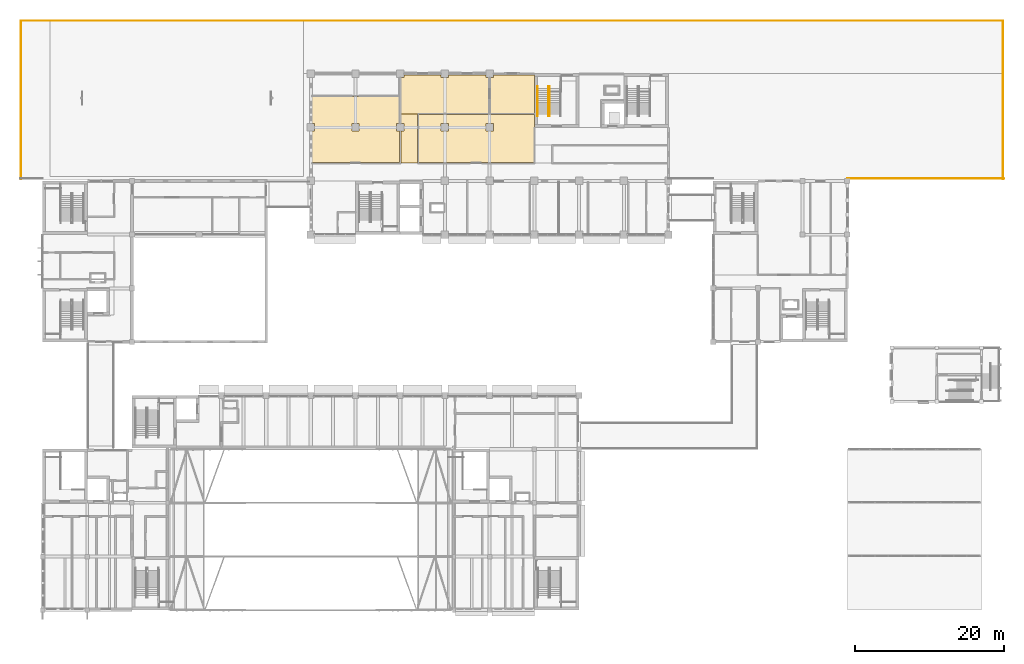
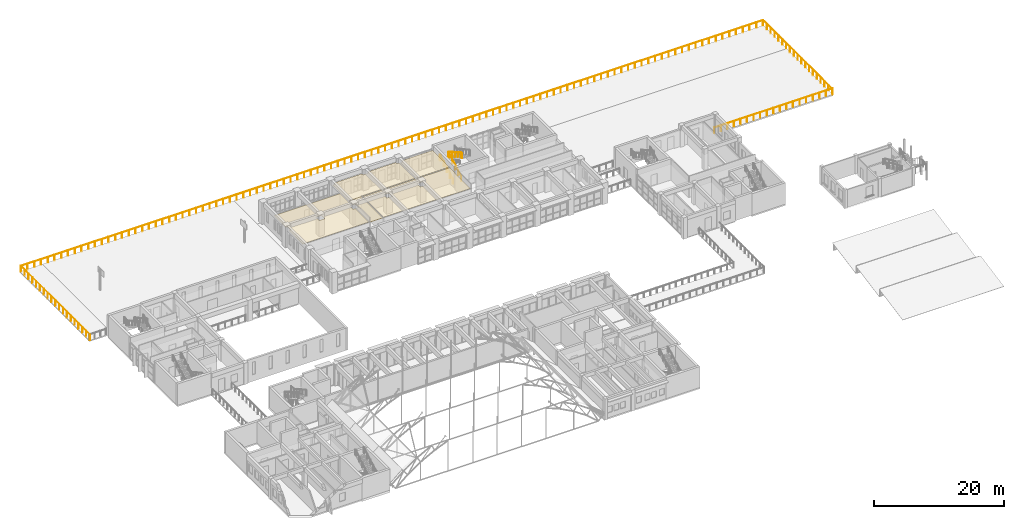
# One storey, part 99 of 101: 5 coverings, 5 railings.
"""IFC4 building model written with IfcOpenShell, lengths in metres."""

from ifc_helpers import new_model, si_unit, direction, frame, origin, origin_2d, place, context, subcontext, project, spatial, polyline, circle, outline, extrude, material, layer, layer_set, type_object, element, save


model = new_model("IFC4")

# Units and contexts
model_context = context("Model", 3, precision=1e-05, world=origin(), true_north=direction((0.0, 1.0)))
body_context = subcontext(model_context, "Body", "Model", "MODEL_VIEW")
ifc_project = project(units=[si_unit("LENGTHUNIT", "METRE"), si_unit("AREAUNIT", "SQUARE_METRE"), si_unit("VOLUMEUNIT", "CUBIC_METRE"), si_unit("PLANEANGLEUNIT", "RADIAN"), si_unit("MASSUNIT", "GRAM", prefix="KILO")], contexts=[model_context])

# Site, building, storey
site_placement = place(None, origin())
site = spatial("IfcSite", under=ifc_project, at=site_placement, CompositionType="ELEMENT")
building_placement = place(site_placement, origin())
building = spatial("IfcBuilding", under=site, at=building_placement, Name="Laocheng Heights Fire and Rescue Headquarters", CompositionType="ELEMENT")
storey_placement = place(building_placement, frame((0.0, 0.0, 8.39990234375)))
storey = spatial("IfcBuildingStorey", under=building, at=storey_placement, Name="L02", CompositionType="ELEMENT", Elevation=8.39990234375)

# Railings
ifc_material_1 = material(Name="Steel Q355B", Category="steel")
railing_type_1 = type_object("IfcRailingType", Name="STAIR HANDRAIL 920", PredefinedType="HANDRAIL", material=ifc_material_1)
for number, where, name in (
    (1, (66.445068359375, 66.300048828125, 0.0), "Stair H3 handrail L02 1"),
    (2, (67.905029296875, 66.300048828125, 0.0), "Stair H3 handrail L02 2"),
):
    element("IfcRailing", number, at=place(storey_placement, frame(where)), inside=storey, type_object=railing_type_1, Name=name, PredefinedType="HANDRAIL", context=body_context, shape_type="SweptSolid", body=[
        extrude(circle(Radius=0.02392578125, at=origin_2d()), frame((0.0, 0.0, 0.89599609375), z_axis=(0.0, 0.868519587458, 0.495654845838), x_axis=(-1.0, 0.0, 0.0)), (0.0, 0.0, 1.0), 4.237060546875),
        extrude(circle(Radius=0.02392578125, at=origin_2d()), frame((0.0, 3.679931640625, 2.99609375), z_axis=(0.0, 1.0, 0.0), x_axis=(-1.0, 0.0, 0.0)), (0.0, 0.0, 1.0), 0.300048828125),
        extrude(circle(Radius=0.02099609375, at=origin_2d()), origin(), (0.0, 0.0, 1.0), 0.871826171875),
        extrude(circle(Radius=0.02099609375, at=origin_2d()), frame((0.0, 0.919921875, 0.52490234375)), (0.0, 0.0, 1.0), 0.871826171875),
        extrude(circle(Radius=0.02099609375, at=origin_2d()), frame((0.0, 1.83984375, 1.050048828125)), (0.0, 0.0, 1.0), 0.871826171875),
        extrude(circle(Radius=0.02099609375, at=origin_2d()), frame((0.0, 2.760009765625, 1.5751953125)), (0.0, 0.0, 1.0), 0.871826171875),
        extrude(circle(Radius=0.02099609375, at=origin_2d()), frame((0.0, 3.679931640625, 2.10009765625)), (0.0, 0.0, 1.0), 0.871826171875),
        extrude(circle(Radius=0.02099609375, at=origin_2d()), frame((0.0, 3.97998046875, 2.10009765625)), (0.0, 0.0, 1.0), 0.871826171875),
    ])
railing_1_placement = place(storey_placement, frame((68.044921875, 70.280029296875, 2.10009765625)))
element("IfcRailing", 3, at=railing_1_placement, inside=storey, type_object=railing_type_1, Name="Stair H3 handrail L02 3", PredefinedType="HANDRAIL", context=body_context, shape_type="SweptSolid", body=[
    extrude(circle(Radius=0.02392578125, at=origin_2d()), frame((0.0, 0.0, 0.89599609375), z_axis=(0.0, -0.868519587458, 0.495654845838), x_axis=(1.0, 0.0, 0.0)), (0.0, 0.0, 1.0), 4.237060546875),
    extrude(circle(Radius=0.02392578125, at=origin_2d()), frame((0.0, -3.679931640625, 2.99609375), z_axis=(0.0, -1.0, 0.0), x_axis=(1.0, 0.0, 0.0)), (0.0, 0.0, 1.0), 0.300048828125),
    extrude(circle(Radius=0.02099609375, at=origin_2d()), origin(), (0.0, 0.0, 1.0), 0.871826171875),
    extrude(circle(Radius=0.02099609375, at=origin_2d()), frame((0.0, -0.919921875, 0.52490234375)), (0.0, 0.0, 1.0), 0.871826171875),
    extrude(circle(Radius=0.02099609375, at=origin_2d()), frame((0.0, -1.83984375, 1.050048828125)), (0.0, 0.0, 1.0), 0.871826171875),
    extrude(circle(Radius=0.02099609375, at=origin_2d()), frame((0.0, -2.760009765625, 1.5751953125)), (0.0, 0.0, 1.0), 0.871826171875),
    extrude(circle(Radius=0.02099609375, at=origin_2d()), frame((0.0, -3.679931640625, 2.10009765625)), (0.0, 0.0, 1.0), 0.871826171875),
    extrude(circle(Radius=0.02099609375, at=origin_2d()), frame((0.0, -3.97998046875, 2.10009765625)), (0.0, 0.0, 1.0), 0.871826171875),
])
ifc_material_2 = material(Name="Steel Q355B", Category="steel")
railing_type_2 = type_object("IfcRailingType", Name="STEEL GUARDRAIL 1100 SITE BOUNDARY", PredefinedType="GUARDRAIL", material=ifc_material_2)
railing_2_placement = place(storey_placement, frame((-2.89990234375, 57.824951171875, 0.0)))
element("IfcRailing", 4, at=railing_2_placement, inside=storey, type_object=railing_type_2, Name="Site boundary guard L02", PredefinedType="GUARDRAIL", context=body_context, shape_type="SweptSolid", body=[
    extrude(circle(Radius=0.02490234375, at=origin_2d()), frame((0.0, 0.0, 1.0751953125), z_axis=(0.0, 1.0, 0.0), x_axis=(-1.0, 0.0, 0.0)), (0.0, 0.0, 1.0), 21.275146484375),
    extrude(circle(Radius=0.02490234375, at=origin_2d()), frame((0.0, 21.275146484375, 1.0751953125), z_axis=(1.0, 0.0, 0.0), x_axis=(0.0, 1.0, 0.0)), (0.0, 0.0, 1.0), 131.7998046875),
    extrude(circle(Radius=0.02490234375, at=origin_2d()), frame((131.7998046875, 21.275146484375, 1.0751953125), z_axis=(0.0, -1.0, 0.0), x_axis=(1.0, 0.0, 0.0)), (0.0, 0.0, 1.0), 21.275146484375),
    extrude(circle(Radius=0.02490234375, at=origin_2d()), origin(), (0.0, 0.0, 1.0), 1.050048828125),
    extrude(circle(Radius=0.02490234375, at=origin_2d()), frame((0.0, 1.181884765625, 0.0)), (0.0, 0.0, 1.0), 1.050048828125),
    extrude(circle(Radius=0.02490234375, at=origin_2d()), frame((0.0, 2.364013671875, 0.0)), (0.0, 0.0, 1.0), 1.050048828125),
    extrude(circle(Radius=0.02490234375, at=origin_2d()), frame((0.0, 3.5458984375, 0.0)), (0.0, 0.0, 1.0), 1.050048828125),
    extrude(circle(Radius=0.02490234375, at=origin_2d()), frame((0.0, 4.727783203125, 0.0)), (0.0, 0.0, 1.0), 1.050048828125),
    extrude(circle(Radius=0.02490234375, at=origin_2d()), frame((0.0, 5.90966796875, 0.0)), (0.0, 0.0, 1.0), 1.050048828125),
    extrude(circle(Radius=0.02490234375, at=origin_2d()), frame((0.0, 7.091796875, 0.0)), (0.0, 0.0, 1.0), 1.050048828125),
    extrude(circle(Radius=0.02490234375, at=origin_2d()), frame((0.0, 8.273681640625, 0.0)), (0.0, 0.0, 1.0), 1.050048828125),
    extrude(circle(Radius=0.02490234375, at=origin_2d()), frame((0.0, 9.45556640625, 0.0)), (0.0, 0.0, 1.0), 1.050048828125),
    extrude(circle(Radius=0.02490234375, at=origin_2d()), frame((0.0, 10.6376953125, 0.0)), (0.0, 0.0, 1.0), 1.050048828125),
    extrude(circle(Radius=0.02490234375, at=origin_2d()), frame((0.0, 11.819580078125, 0.0)), (0.0, 0.0, 1.0), 1.050048828125),
    extrude(circle(Radius=0.02490234375, at=origin_2d()), frame((0.0, 13.00146484375, 0.0)), (0.0, 0.0, 1.0), 1.050048828125),
    extrude(circle(Radius=0.02490234375, at=origin_2d()), frame((0.0, 14.183349609375, 0.0)), (0.0, 0.0, 1.0), 1.050048828125),
    extrude(circle(Radius=0.02490234375, at=origin_2d()), frame((0.0, 15.365478515625, 0.0)), (0.0, 0.0, 1.0), 1.050048828125),
    extrude(circle(Radius=0.02490234375, at=origin_2d()), frame((0.0, 16.54736328125, 0.0)), (0.0, 0.0, 1.0), 1.050048828125),
    extrude(circle(Radius=0.02490234375, at=origin_2d()), frame((0.0, 17.729248046875, 0.0)), (0.0, 0.0, 1.0), 1.050048828125),
    extrude(circle(Radius=0.02490234375, at=origin_2d()), frame((0.0, 18.9111328125, 0.0)), (0.0, 0.0, 1.0), 1.050048828125),
    extrude(circle(Radius=0.02490234375, at=origin_2d()), frame((0.0, 20.09326171875, 0.0)), (0.0, 0.0, 1.0), 1.050048828125),
    extrude(circle(Radius=0.02490234375, at=origin_2d()), frame((0.0, 21.275146484375, 0.0)), (0.0, 0.0, 1.0), 1.050048828125),
    extrude(circle(Radius=0.02490234375, at=origin_2d()), frame((1.1982421875, 21.275146484375, 0.0)), (0.0, 0.0, 1.0), 1.050048828125),
    extrude(circle(Radius=0.02490234375, at=origin_2d()), frame((2.396240234375, 21.275146484375, 0.0)), (0.0, 0.0, 1.0), 1.050048828125),
    extrude(circle(Radius=0.02490234375, at=origin_2d()), frame((3.594482421875, 21.275146484375, 0.0)), (0.0, 0.0, 1.0), 1.050048828125),
    extrude(circle(Radius=0.02490234375, at=origin_2d()), frame((4.792724609375, 21.275146484375, 0.0)), (0.0, 0.0, 1.0), 1.050048828125),
    extrude(circle(Radius=0.02490234375, at=origin_2d()), frame((5.990966796875, 21.275146484375, 0.0)), (0.0, 0.0, 1.0), 1.050048828125),
    extrude(circle(Radius=0.02490234375, at=origin_2d()), frame((7.18896484375, 21.275146484375, 0.0)), (0.0, 0.0, 1.0), 1.050048828125),
    extrude(circle(Radius=0.02490234375, at=origin_2d()), frame((8.38720703125, 21.275146484375, 0.0)), (0.0, 0.0, 1.0), 1.050048828125),
    extrude(circle(Radius=0.02490234375, at=origin_2d()), frame((9.58544921875, 21.275146484375, 0.0)), (0.0, 0.0, 1.0), 1.050048828125),
    extrude(circle(Radius=0.02490234375, at=origin_2d()), frame((10.78369140625, 21.275146484375, 0.0)), (0.0, 0.0, 1.0), 1.050048828125),
    extrude(circle(Radius=0.02490234375, at=origin_2d()), frame((11.981689453125, 21.275146484375, 0.0)), (0.0, 0.0, 1.0), 1.050048828125),
    extrude(circle(Radius=0.02490234375, at=origin_2d()), frame((13.179931640625, 21.275146484375, 0.0)), (0.0, 0.0, 1.0), 1.050048828125),
    extrude(circle(Radius=0.02490234375, at=origin_2d()), frame((14.378173828125, 21.275146484375, 0.0)), (0.0, 0.0, 1.0), 1.050048828125),
    extrude(circle(Radius=0.02490234375, at=origin_2d()), frame((15.576416015625, 21.275146484375, 0.0)), (0.0, 0.0, 1.0), 1.050048828125),
    extrude(circle(Radius=0.02490234375, at=origin_2d()), frame((16.7744140625, 21.275146484375, 0.0)), (0.0, 0.0, 1.0), 1.050048828125),
    extrude(circle(Radius=0.02490234375, at=origin_2d()), frame((17.97265625, 21.275146484375, 0.0)), (0.0, 0.0, 1.0), 1.050048828125),
    extrude(circle(Radius=0.02490234375, at=origin_2d()), frame((19.1708984375, 21.275146484375, 0.0)), (0.0, 0.0, 1.0), 1.050048828125),
    extrude(circle(Radius=0.02490234375, at=origin_2d()), frame((20.369140625, 21.275146484375, 0.0)), (0.0, 0.0, 1.0), 1.050048828125),
    extrude(circle(Radius=0.02490234375, at=origin_2d()), frame((21.567138671875, 21.275146484375, 0.0)), (0.0, 0.0, 1.0), 1.050048828125),
    extrude(circle(Radius=0.02490234375, at=origin_2d()), frame((22.765380859375, 21.275146484375, 0.0)), (0.0, 0.0, 1.0), 1.050048828125),
    extrude(circle(Radius=0.02490234375, at=origin_2d()), frame((23.963623046875, 21.275146484375, 0.0)), (0.0, 0.0, 1.0), 1.050048828125),
    extrude(circle(Radius=0.02490234375, at=origin_2d()), frame((25.161865234375, 21.275146484375, 0.0)), (0.0, 0.0, 1.0), 1.050048828125),
    extrude(circle(Radius=0.02490234375, at=origin_2d()), frame((26.35986328125, 21.275146484375, 0.0)), (0.0, 0.0, 1.0), 1.050048828125),
    extrude(circle(Radius=0.02490234375, at=origin_2d()), frame((27.55810546875, 21.275146484375, 0.0)), (0.0, 0.0, 1.0), 1.050048828125),
    extrude(circle(Radius=0.02490234375, at=origin_2d()), frame((28.75634765625, 21.275146484375, 0.0)), (0.0, 0.0, 1.0), 1.050048828125),
    extrude(circle(Radius=0.02490234375, at=origin_2d()), frame((29.95458984375, 21.275146484375, 0.0)), (0.0, 0.0, 1.0), 1.050048828125),
    extrude(circle(Radius=0.02490234375, at=origin_2d()), frame((31.152587890625, 21.275146484375, 0.0)), (0.0, 0.0, 1.0), 1.050048828125),
    extrude(circle(Radius=0.02490234375, at=origin_2d()), frame((32.350830078125, 21.275146484375, 0.0)), (0.0, 0.0, 1.0), 1.050048828125),
    extrude(circle(Radius=0.02490234375, at=origin_2d()), frame((33.549072265625, 21.275146484375, 0.0)), (0.0, 0.0, 1.0), 1.050048828125),
    extrude(circle(Radius=0.02490234375, at=origin_2d()), frame((34.747314453125, 21.275146484375, 0.0)), (0.0, 0.0, 1.0), 1.050048828125),
    extrude(circle(Radius=0.02490234375, at=origin_2d()), frame((35.9453125, 21.275146484375, 0.0)), (0.0, 0.0, 1.0), 1.050048828125),
    extrude(circle(Radius=0.02490234375, at=origin_2d()), frame((37.1435546875, 21.275146484375, 0.0)), (0.0, 0.0, 1.0), 1.050048828125),
    extrude(circle(Radius=0.02490234375, at=origin_2d()), frame((38.341796875, 21.275146484375, 0.0)), (0.0, 0.0, 1.0), 1.050048828125),
    extrude(circle(Radius=0.02490234375, at=origin_2d()), frame((39.5400390625, 21.275146484375, 0.0)), (0.0, 0.0, 1.0), 1.050048828125),
    extrude(circle(Radius=0.02490234375, at=origin_2d()), frame((40.738037109375, 21.275146484375, 0.0)), (0.0, 0.0, 1.0), 1.050048828125),
    extrude(circle(Radius=0.02490234375, at=origin_2d()), frame((41.936279296875, 21.275146484375, 0.0)), (0.0, 0.0, 1.0), 1.050048828125),
    extrude(circle(Radius=0.02490234375, at=origin_2d()), frame((43.134521484375, 21.275146484375, 0.0)), (0.0, 0.0, 1.0), 1.050048828125),
    extrude(circle(Radius=0.02490234375, at=origin_2d()), frame((44.332763671875, 21.275146484375, 0.0)), (0.0, 0.0, 1.0), 1.050048828125),
    extrude(circle(Radius=0.02490234375, at=origin_2d()), frame((45.53076171875, 21.275146484375, 0.0)), (0.0, 0.0, 1.0), 1.050048828125),
    extrude(circle(Radius=0.02490234375, at=origin_2d()), frame((46.72900390625, 21.275146484375, 0.0)), (0.0, 0.0, 1.0), 1.050048828125),
    extrude(circle(Radius=0.02490234375, at=origin_2d()), frame((47.92724609375, 21.275146484375, 0.0)), (0.0, 0.0, 1.0), 1.050048828125),
    extrude(circle(Radius=0.02490234375, at=origin_2d()), frame((49.12548828125, 21.275146484375, 0.0)), (0.0, 0.0, 1.0), 1.050048828125),
    extrude(circle(Radius=0.02490234375, at=origin_2d()), frame((50.323486328125, 21.275146484375, 0.0)), (0.0, 0.0, 1.0), 1.050048828125),
    extrude(circle(Radius=0.02490234375, at=origin_2d()), frame((51.521728515625, 21.275146484375, 0.0)), (0.0, 0.0, 1.0), 1.050048828125),
    extrude(circle(Radius=0.02490234375, at=origin_2d()), frame((52.719970703125, 21.275146484375, 0.0)), (0.0, 0.0, 1.0), 1.050048828125),
    extrude(circle(Radius=0.02490234375, at=origin_2d()), frame((53.918212890625, 21.275146484375, 0.0)), (0.0, 0.0, 1.0), 1.050048828125),
    extrude(circle(Radius=0.02490234375, at=origin_2d()), frame((55.1162109375, 21.275146484375, 0.0)), (0.0, 0.0, 1.0), 1.050048828125),
    extrude(circle(Radius=0.02490234375, at=origin_2d()), frame((56.314453125, 21.275146484375, 0.0)), (0.0, 0.0, 1.0), 1.050048828125),
    extrude(circle(Radius=0.02490234375, at=origin_2d()), frame((57.5126953125, 21.275146484375, 0.0)), (0.0, 0.0, 1.0), 1.050048828125),
    extrude(circle(Radius=0.02490234375, at=origin_2d()), frame((58.7109375, 21.275146484375, 0.0)), (0.0, 0.0, 1.0), 1.050048828125),
    extrude(circle(Radius=0.02490234375, at=origin_2d()), frame((59.908935546875, 21.275146484375, 0.0)), (0.0, 0.0, 1.0), 1.050048828125),
    extrude(circle(Radius=0.02490234375, at=origin_2d()), frame((61.107177734375, 21.275146484375, 0.0)), (0.0, 0.0, 1.0), 1.050048828125),
    extrude(circle(Radius=0.02490234375, at=origin_2d()), frame((62.305419921875, 21.275146484375, 0.0)), (0.0, 0.0, 1.0), 1.050048828125),
    extrude(circle(Radius=0.02490234375, at=origin_2d()), frame((63.503662109375, 21.275146484375, 0.0)), (0.0, 0.0, 1.0), 1.050048828125),
    extrude(circle(Radius=0.02490234375, at=origin_2d()), frame((64.70166015625, 21.275146484375, 0.0)), (0.0, 0.0, 1.0), 1.050048828125),
    extrude(circle(Radius=0.02490234375, at=origin_2d()), frame((65.89990234375, 21.275146484375, 0.0)), (0.0, 0.0, 1.0), 1.050048828125),
    extrude(circle(Radius=0.02490234375, at=origin_2d()), frame((67.09814453125, 21.275146484375, 0.0)), (0.0, 0.0, 1.0), 1.050048828125),
    extrude(circle(Radius=0.02490234375, at=origin_2d()), frame((68.296142578125, 21.275146484375, 0.0)), (0.0, 0.0, 1.0), 1.050048828125),
    extrude(circle(Radius=0.02490234375, at=origin_2d()), frame((69.494384765625, 21.275146484375, 0.0)), (0.0, 0.0, 1.0), 1.050048828125),
    extrude(circle(Radius=0.02490234375, at=origin_2d()), frame((70.692626953125, 21.275146484375, 0.0)), (0.0, 0.0, 1.0), 1.050048828125),
    extrude(circle(Radius=0.02490234375, at=origin_2d()), frame((71.890869140625, 21.275146484375, 0.0)), (0.0, 0.0, 1.0), 1.050048828125),
    extrude(circle(Radius=0.02490234375, at=origin_2d()), frame((73.0888671875, 21.275146484375, 0.0)), (0.0, 0.0, 1.0), 1.050048828125),
    extrude(circle(Radius=0.02490234375, at=origin_2d()), frame((74.287109375, 21.275146484375, 0.0)), (0.0, 0.0, 1.0), 1.050048828125),
    extrude(circle(Radius=0.02490234375, at=origin_2d()), frame((75.4853515625, 21.275146484375, 0.0)), (0.0, 0.0, 1.0), 1.050048828125),
    extrude(circle(Radius=0.02490234375, at=origin_2d()), frame((76.68359375, 21.275146484375, 0.0)), (0.0, 0.0, 1.0), 1.050048828125),
    extrude(circle(Radius=0.02490234375, at=origin_2d()), frame((77.881591796875, 21.275146484375, 0.0)), (0.0, 0.0, 1.0), 1.050048828125),
    extrude(circle(Radius=0.02490234375, at=origin_2d()), frame((79.079833984375, 21.275146484375, 0.0)), (0.0, 0.0, 1.0), 1.050048828125),
    extrude(circle(Radius=0.02490234375, at=origin_2d()), frame((80.278076171875, 21.275146484375, 0.0)), (0.0, 0.0, 1.0), 1.050048828125),
    extrude(circle(Radius=0.02490234375, at=origin_2d()), frame((81.476318359375, 21.275146484375, 0.0)), (0.0, 0.0, 1.0), 1.050048828125),
    extrude(circle(Radius=0.02490234375, at=origin_2d()), frame((82.67431640625, 21.275146484375, 0.0)), (0.0, 0.0, 1.0), 1.050048828125),
    extrude(circle(Radius=0.02490234375, at=origin_2d()), frame((83.87255859375, 21.275146484375, 0.0)), (0.0, 0.0, 1.0), 1.050048828125),
    extrude(circle(Radius=0.02490234375, at=origin_2d()), frame((85.07080078125, 21.275146484375, 0.0)), (0.0, 0.0, 1.0), 1.050048828125),
    extrude(circle(Radius=0.02490234375, at=origin_2d()), frame((86.26904296875, 21.275146484375, 0.0)), (0.0, 0.0, 1.0), 1.050048828125),
    extrude(circle(Radius=0.02490234375, at=origin_2d()), frame((87.467041015625, 21.275146484375, 0.0)), (0.0, 0.0, 1.0), 1.050048828125),
    extrude(circle(Radius=0.02490234375, at=origin_2d()), frame((88.665283203125, 21.275146484375, 0.0)), (0.0, 0.0, 1.0), 1.050048828125),
    extrude(circle(Radius=0.02490234375, at=origin_2d()), frame((89.863525390625, 21.275146484375, 0.0)), (0.0, 0.0, 1.0), 1.050048828125),
    extrude(circle(Radius=0.02490234375, at=origin_2d()), frame((91.061767578125, 21.275146484375, 0.0)), (0.0, 0.0, 1.0), 1.050048828125),
    extrude(circle(Radius=0.02490234375, at=origin_2d()), frame((92.259765625, 21.275146484375, 0.0)), (0.0, 0.0, 1.0), 1.050048828125),
    extrude(circle(Radius=0.02490234375, at=origin_2d()), frame((93.4580078125, 21.275146484375, 0.0)), (0.0, 0.0, 1.0), 1.050048828125),
    extrude(circle(Radius=0.02490234375, at=origin_2d()), frame((94.65625, 21.275146484375, 0.0)), (0.0, 0.0, 1.0), 1.050048828125),
    extrude(circle(Radius=0.02490234375, at=origin_2d()), frame((95.8544921875, 21.275146484375, 0.0)), (0.0, 0.0, 1.0), 1.050048828125),
    extrude(circle(Radius=0.02490234375, at=origin_2d()), frame((97.052490234375, 21.275146484375, 0.0)), (0.0, 0.0, 1.0), 1.050048828125),
    extrude(circle(Radius=0.02490234375, at=origin_2d()), frame((98.250732421875, 21.275146484375, 0.0)), (0.0, 0.0, 1.0), 1.050048828125),
    extrude(circle(Radius=0.02490234375, at=origin_2d()), frame((99.448974609375, 21.275146484375, 0.0)), (0.0, 0.0, 1.0), 1.050048828125),
    extrude(circle(Radius=0.02490234375, at=origin_2d()), frame((100.647216796875, 21.275146484375, 0.0)), (0.0, 0.0, 1.0), 1.050048828125),
    extrude(circle(Radius=0.02490234375, at=origin_2d()), frame((101.84521484375, 21.275146484375, 0.0)), (0.0, 0.0, 1.0), 1.050048828125),
    extrude(circle(Radius=0.02490234375, at=origin_2d()), frame((103.04345703125, 21.275146484375, 0.0)), (0.0, 0.0, 1.0), 1.050048828125),
    extrude(circle(Radius=0.02490234375, at=origin_2d()), frame((104.24169921875, 21.275146484375, 0.0)), (0.0, 0.0, 1.0), 1.050048828125),
    extrude(circle(Radius=0.02490234375, at=origin_2d()), frame((105.43994140625, 21.275146484375, 0.0)), (0.0, 0.0, 1.0), 1.050048828125),
    extrude(circle(Radius=0.02490234375, at=origin_2d()), frame((106.637939453125, 21.275146484375, 0.0)), (0.0, 0.0, 1.0), 1.050048828125),
    extrude(circle(Radius=0.02490234375, at=origin_2d()), frame((107.836181640625, 21.275146484375, 0.0)), (0.0, 0.0, 1.0), 1.050048828125),
    extrude(circle(Radius=0.02490234375, at=origin_2d()), frame((109.034423828125, 21.275146484375, 0.0)), (0.0, 0.0, 1.0), 1.050048828125),
    extrude(circle(Radius=0.02490234375, at=origin_2d()), frame((110.232666015625, 21.275146484375, 0.0)), (0.0, 0.0, 1.0), 1.050048828125),
    extrude(circle(Radius=0.02490234375, at=origin_2d()), frame((111.4306640625, 21.275146484375, 0.0)), (0.0, 0.0, 1.0), 1.050048828125),
    extrude(circle(Radius=0.02490234375, at=origin_2d()), frame((112.62890625, 21.275146484375, 0.0)), (0.0, 0.0, 1.0), 1.050048828125),
    extrude(circle(Radius=0.02490234375, at=origin_2d()), frame((113.8271484375, 21.275146484375, 0.0)), (0.0, 0.0, 1.0), 1.050048828125),
    extrude(circle(Radius=0.02490234375, at=origin_2d()), frame((115.025390625, 21.275146484375, 0.0)), (0.0, 0.0, 1.0), 1.050048828125),
    extrude(circle(Radius=0.02490234375, at=origin_2d()), frame((116.223388671875, 21.275146484375, 0.0)), (0.0, 0.0, 1.0), 1.050048828125),
    extrude(circle(Radius=0.02490234375, at=origin_2d()), frame((117.421630859375, 21.275146484375, 0.0)), (0.0, 0.0, 1.0), 1.050048828125),
    extrude(circle(Radius=0.02490234375, at=origin_2d()), frame((118.619873046875, 21.275146484375, 0.0)), (0.0, 0.0, 1.0), 1.050048828125),
    extrude(circle(Radius=0.02490234375, at=origin_2d()), frame((119.818115234375, 21.275146484375, 0.0)), (0.0, 0.0, 1.0), 1.050048828125),
    extrude(circle(Radius=0.02490234375, at=origin_2d()), frame((121.01611328125, 21.275146484375, 0.0)), (0.0, 0.0, 1.0), 1.050048828125),
    extrude(circle(Radius=0.02490234375, at=origin_2d()), frame((122.21435546875, 21.275146484375, 0.0)), (0.0, 0.0, 1.0), 1.050048828125),
    extrude(circle(Radius=0.02490234375, at=origin_2d()), frame((123.41259765625, 21.275146484375, 0.0)), (0.0, 0.0, 1.0), 1.050048828125),
    extrude(circle(Radius=0.02490234375, at=origin_2d()), frame((124.61083984375, 21.275146484375, 0.0)), (0.0, 0.0, 1.0), 1.050048828125),
    extrude(circle(Radius=0.02490234375, at=origin_2d()), frame((125.808837890625, 21.275146484375, 0.0)), (0.0, 0.0, 1.0), 1.050048828125),
    extrude(circle(Radius=0.02490234375, at=origin_2d()), frame((127.007080078125, 21.275146484375, 0.0)), (0.0, 0.0, 1.0), 1.050048828125),
    extrude(circle(Radius=0.02490234375, at=origin_2d()), frame((128.205322265625, 21.275146484375, 0.0)), (0.0, 0.0, 1.0), 1.050048828125),
    extrude(circle(Radius=0.02490234375, at=origin_2d()), frame((129.403564453125, 21.275146484375, 0.0)), (0.0, 0.0, 1.0), 1.050048828125),
    extrude(circle(Radius=0.02490234375, at=origin_2d()), frame((130.6015625, 21.275146484375, 0.0)), (0.0, 0.0, 1.0), 1.050048828125),
    extrude(circle(Radius=0.02490234375, at=origin_2d()), frame((131.7998046875, 21.275146484375, 0.0)), (0.0, 0.0, 1.0), 1.050048828125),
    extrude(circle(Radius=0.02490234375, at=origin_2d()), frame((131.7998046875, 20.09326171875, 0.0)), (0.0, 0.0, 1.0), 1.050048828125),
    extrude(circle(Radius=0.02490234375, at=origin_2d()), frame((131.7998046875, 18.9111328125, 0.0)), (0.0, 0.0, 1.0), 1.050048828125),
    extrude(circle(Radius=0.02490234375, at=origin_2d()), frame((131.7998046875, 17.729248046875, 0.0)), (0.0, 0.0, 1.0), 1.050048828125),
    extrude(circle(Radius=0.02490234375, at=origin_2d()), frame((131.7998046875, 16.54736328125, 0.0)), (0.0, 0.0, 1.0), 1.050048828125),
    extrude(circle(Radius=0.02490234375, at=origin_2d()), frame((131.7998046875, 15.365478515625, 0.0)), (0.0, 0.0, 1.0), 1.050048828125),
    extrude(circle(Radius=0.02490234375, at=origin_2d()), frame((131.7998046875, 14.183349609375, 0.0)), (0.0, 0.0, 1.0), 1.050048828125),
    extrude(circle(Radius=0.02490234375, at=origin_2d()), frame((131.7998046875, 13.00146484375, 0.0)), (0.0, 0.0, 1.0), 1.050048828125),
    extrude(circle(Radius=0.02490234375, at=origin_2d()), frame((131.7998046875, 11.819580078125, 0.0)), (0.0, 0.0, 1.0), 1.050048828125),
    extrude(circle(Radius=0.02490234375, at=origin_2d()), frame((131.7998046875, 10.6376953125, 0.0)), (0.0, 0.0, 1.0), 1.050048828125),
    extrude(circle(Radius=0.02490234375, at=origin_2d()), frame((131.7998046875, 9.45556640625, 0.0)), (0.0, 0.0, 1.0), 1.050048828125),
    extrude(circle(Radius=0.02490234375, at=origin_2d()), frame((131.7998046875, 8.273681640625, 0.0)), (0.0, 0.0, 1.0), 1.050048828125),
    extrude(circle(Radius=0.02490234375, at=origin_2d()), frame((131.7998046875, 7.091796875, 0.0)), (0.0, 0.0, 1.0), 1.050048828125),
    extrude(circle(Radius=0.02490234375, at=origin_2d()), frame((131.7998046875, 5.90966796875, 0.0)), (0.0, 0.0, 1.0), 1.050048828125),
    extrude(circle(Radius=0.02490234375, at=origin_2d()), frame((131.7998046875, 4.727783203125, 0.0)), (0.0, 0.0, 1.0), 1.050048828125),
    extrude(circle(Radius=0.02490234375, at=origin_2d()), frame((131.7998046875, 3.5458984375, 0.0)), (0.0, 0.0, 1.0), 1.050048828125),
    extrude(circle(Radius=0.02490234375, at=origin_2d()), frame((131.7998046875, 2.364013671875, 0.0)), (0.0, 0.0, 1.0), 1.050048828125),
    extrude(circle(Radius=0.02490234375, at=origin_2d()), frame((131.7998046875, 1.181884765625, 0.0)), (0.0, 0.0, 1.0), 1.050048828125),
    extrude(circle(Radius=0.02490234375, at=origin_2d()), frame((131.7998046875, 0.0, 0.0)), (0.0, 0.0, 1.0), 1.050048828125),
])
ifc_material_3 = material(Name="Steel Q355B", Category="steel")
railing_type_3 = type_object("IfcRailingType", Name="STEEL GUARDRAIL 1100 TERRACE EDGE", PredefinedType="GUARDRAIL", material=ifc_material_3)
railing_3_placement = place(storey_placement, frame((108.0, 57.925048828125, 0.0)))
element("IfcRailing", 5, at=railing_3_placement, inside=storey, type_object=railing_type_3, Name="Guard on top of RW2 108 to 129", PredefinedType="GUARDRAIL", context=body_context, shape_type="SweptSolid", body=[
    extrude(circle(Radius=0.02490234375, at=origin_2d()), frame((0.0, 0.0, 1.0751953125), z_axis=(1.0, 0.0, 0.0), x_axis=(0.0, 1.0, 0.0)), (0.0, 0.0, 1.0), 21.0),
    extrude(circle(Radius=0.02490234375, at=origin_2d()), origin(), (0.0, 0.0, 1.0), 1.050048828125),
    extrude(circle(Radius=0.02490234375, at=origin_2d()), frame((1.166748046875, 0.0, 0.0)), (0.0, 0.0, 1.0), 1.050048828125),
    extrude(circle(Radius=0.02490234375, at=origin_2d()), frame((2.333251953125, 0.0, 0.0)), (0.0, 0.0, 1.0), 1.050048828125),
    extrude(circle(Radius=0.02490234375, at=origin_2d()), frame((3.5, 0.0, 0.0)), (0.0, 0.0, 1.0), 1.050048828125),
    extrude(circle(Radius=0.02490234375, at=origin_2d()), frame((4.666748046875, 0.0, 0.0)), (0.0, 0.0, 1.0), 1.050048828125),
    extrude(circle(Radius=0.02490234375, at=origin_2d()), frame((5.833251953125, 0.0, 0.0)), (0.0, 0.0, 1.0), 1.050048828125),
    extrude(circle(Radius=0.02490234375, at=origin_2d()), frame((7.0, 0.0, 0.0)), (0.0, 0.0, 1.0), 1.050048828125),
    extrude(circle(Radius=0.02490234375, at=origin_2d()), frame((8.166748046875, 0.0, 0.0)), (0.0, 0.0, 1.0), 1.050048828125),
    extrude(circle(Radius=0.02490234375, at=origin_2d()), frame((9.333251953125, 0.0, 0.0)), (0.0, 0.0, 1.0), 1.050048828125),
    extrude(circle(Radius=0.02490234375, at=origin_2d()), frame((10.5, 0.0, 0.0)), (0.0, 0.0, 1.0), 1.050048828125),
    extrude(circle(Radius=0.02490234375, at=origin_2d()), frame((11.666748046875, 0.0, 0.0)), (0.0, 0.0, 1.0), 1.050048828125),
    extrude(circle(Radius=0.02490234375, at=origin_2d()), frame((12.833251953125, 0.0, 0.0)), (0.0, 0.0, 1.0), 1.050048828125),
    extrude(circle(Radius=0.02490234375, at=origin_2d()), frame((14.0, 0.0, 0.0)), (0.0, 0.0, 1.0), 1.050048828125),
    extrude(circle(Radius=0.02490234375, at=origin_2d()), frame((15.166748046875, 0.0, 0.0)), (0.0, 0.0, 1.0), 1.050048828125),
    extrude(circle(Radius=0.02490234375, at=origin_2d()), frame((16.333251953125, 0.0, 0.0)), (0.0, 0.0, 1.0), 1.050048828125),
    extrude(circle(Radius=0.02490234375, at=origin_2d()), frame((17.5, 0.0, 0.0)), (0.0, 0.0, 1.0), 1.050048828125),
    extrude(circle(Radius=0.02490234375, at=origin_2d()), frame((18.666748046875, 0.0, 0.0)), (0.0, 0.0, 1.0), 1.050048828125),
    extrude(circle(Radius=0.02490234375, at=origin_2d()), frame((19.833251953125, 0.0, 0.0)), (0.0, 0.0, 1.0), 1.050048828125),
    extrude(circle(Radius=0.02490234375, at=origin_2d()), frame((21.0, 0.0, 0.0)), (0.0, 0.0, 1.0), 1.050048828125),
])

# Coverings
ifc_material_4 = material(Name="Mineral fibre ceiling tile")
ifc_layer = layer(ifc_material_4, 0.0400390625)
ifc_layer_set = layer_set([ifc_layer], Name="Mineral fibre ceiling tile")
covering_type = type_object("IfcCoveringType", Name="SUSPENDED CEILING MINERAL FIBRE TILE HQ WING", PredefinedType="CEILING", material=ifc_layer_set)
covering_1_placement = place(storey_placement, frame((0.0, 0.0, 3.0)))
element("IfcCovering", 6, at=covering_1_placement, inside=storey, type_object=covering_type, Name="Circulation Link ceiling", PredefinedType="CEILING", context=body_context, shape_type="SweptSolid", body=[
    extrude(outline(polyline([(50.324951171875, 60.0), (48.074951171875, 60.0), (48.074951171875, 64.300048828125), (48.5, 64.300048828125), (48.5, 65.300048828125), (48.074951171875, 65.300048828125), (48.074951171875, 66.60009765625), (50.324951171875, 66.60009765625), (50.324951171875, 60.0)])), origin(), (0.0, 0.0, 1.0), 0.0400390625),
])
covering_2_placement = place(storey_placement, frame((0.0, 0.0, 3.0)))
element("IfcCovering", 7, at=covering_2_placement, inside=storey, type_object=covering_type, Name="HQ Entrance Lobby ceiling", PredefinedType="CEILING", context=body_context, shape_type="SweptSolid", body=[
    extrude(outline(polyline([(48.074951171875, 71.5), (48.5, 71.5), (48.5, 71.85009765625), (53.5, 71.85009765625), (53.5, 71.5), (54.5, 71.5), (54.5, 71.85009765625), (59.5, 71.85009765625), (59.5, 71.5), (59.925048828125, 71.5), (59.925048828125, 66.675048828125), (50.47509765625, 66.675048828125), (50.324951171875, 66.675048828125), (50.324951171875, 66.60009765625), (48.074951171875, 66.60009765625), (48.074951171875, 71.5)])), origin(), (0.0, 0.0, 1.0), 0.0400390625),
])
covering_3_placement = place(storey_placement, frame((0.0, 0.0, 3.0)))
element("IfcCovering", 8, at=covering_3_placement, inside=storey, type_object=covering_type, Name="Reception and Security ceiling", PredefinedType="CEILING", context=body_context, shape_type="SweptSolid", body=[
    extrude(outline(polyline([(60.074951171875, 66.675048828125), (60.074951171875, 71.5), (60.5, 71.5), (60.5, 71.85009765625), (66.0, 71.85009765625), (66.0, 66.675048828125), (60.074951171875, 66.675048828125)])), origin(), (0.0, 0.0, 1.0), 0.0400390625),
])
covering_4_placement = place(storey_placement, frame((0.0, 0.0, 3.0)))
element("IfcCovering", 9, at=covering_4_placement, inside=storey, type_object=covering_type, Name="Operations Office ceiling", PredefinedType="CEILING", context=body_context, shape_type="SweptSolid", body=[
    extrude(outline(polyline([(47.925048828125, 65.300048828125), (47.5, 65.300048828125), (47.5, 64.300048828125), (47.925048828125, 64.300048828125), (47.925048828125, 60.074951171875), (36.14990234375, 60.074951171875), (36.14990234375, 64.300048828125), (36.5, 64.300048828125), (36.5, 65.300048828125), (36.14990234375, 65.300048828125), (36.14990234375, 68.925048828125), (47.925048828125, 68.925048828125), (47.925048828125, 65.300048828125)]), holes=[polyline([(42.5, 64.300048828125), (42.5, 65.300048828125), (41.5, 65.300048828125), (41.5, 64.300048828125), (42.5, 64.300048828125)])]), origin(), (0.0, 0.0, 1.0), 0.0400390625),
])
covering_5_placement = place(storey_placement, frame((0.0, 0.0, 3.0)))
element("IfcCovering", 10, at=covering_5_placement, inside=storey, type_object=covering_type, Name="Administration Office ceiling", PredefinedType="CEILING", context=body_context, shape_type="SweptSolid", body=[
    extrude(outline(polyline([(65.925048828125, 64.800048828125), (65.925048828125, 60.074951171875), (50.47509765625, 60.074951171875), (50.47509765625, 66.52490234375), (66.0, 66.52490234375), (66.0, 64.800048828125), (65.925048828125, 64.800048828125)]), holes=[polyline([(54.5, 64.300048828125), (54.5, 65.300048828125), (53.5, 65.300048828125), (53.5, 64.300048828125), (54.5, 64.300048828125)]), polyline([(60.5, 64.300048828125), (60.5, 65.300048828125), (59.5, 65.300048828125), (59.5, 64.300048828125), (60.5, 64.300048828125)])]), origin(), (0.0, 0.0, 1.0), 0.0400390625),
])

save(model, "model.ifc")
